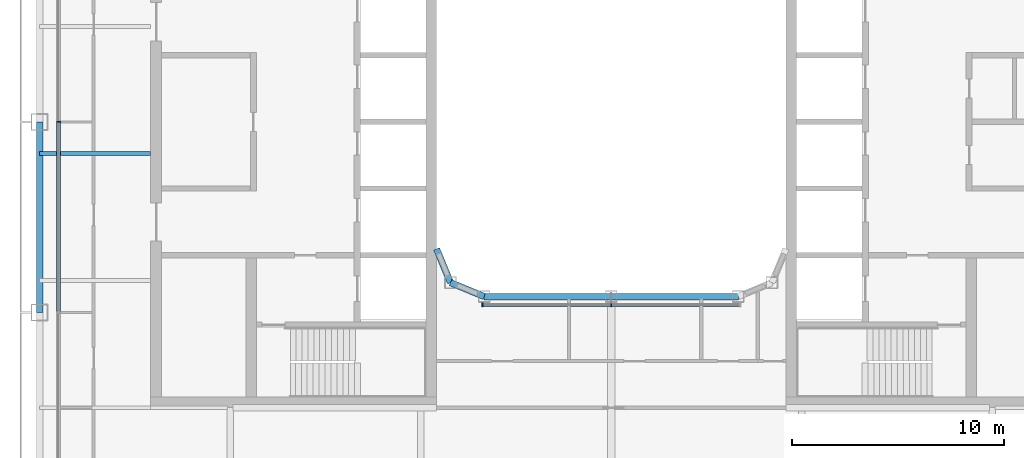
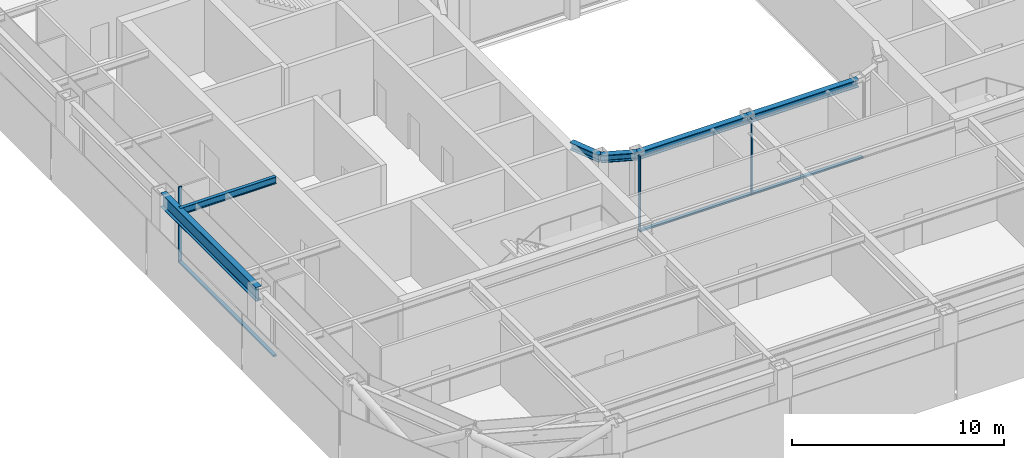
# One storey, part 3 of 19: 6 beams, 6 members, 2 elements without a shape of their own.
"""IFC4 building model written with IfcOpenShell, lengths in metres."""

from ifc_helpers import new_model, si_unit, direction, frame, origin, origin_2d, place, context, subcontext, project, spatial, rectangle, i_section, extrude, material, layer, layer_set, material_profile, profile_set, type_object, element, aggregate, save


model = new_model("IFC4")

# Units and contexts
model_context = context("Model", 3, precision=1e-05, world=origin(), true_north=direction((0.0, 1.0)))
body_context = subcontext(model_context, "Body", "Model", "MODEL_VIEW")
ifc_project = project(units=[si_unit("LENGTHUNIT", "METRE"), si_unit("AREAUNIT", "SQUARE_METRE"), si_unit("VOLUMEUNIT", "CUBIC_METRE"), si_unit("PLANEANGLEUNIT", "RADIAN"), si_unit("MASSUNIT", "GRAM", prefix="KILO")], contexts=[model_context])

# Site, building, storey
site_placement = place(None, origin())
site = spatial("IfcSite", under=ifc_project, at=site_placement, CompositionType="ELEMENT")
building_placement = place(site_placement, origin())
building = spatial("IfcBuilding", under=site, at=building_placement, Name="Siwar Civic Tower", CompositionType="ELEMENT")
storey_placement = place(building_placement, frame((0.0, 0.0, 264.699951171875)))
storey = spatial("IfcBuildingStorey", under=building, at=storey_placement, Name="L57", CompositionType="ELEMENT", Elevation=264.699951171875)

# Curtain wall, member
ifc_material_1 = material(Name="Aluminium and glass", Category="aluminium")
ifc_layer_1 = layer(ifc_material_1, 0.179931640625)
ifc_layer_set_1 = layer_set([ifc_layer_1], Name="Aluminium and glass")
curtain_wall_type_1 = type_object("IfcCurtainWallType", Name="ENV-CW-C", PredefinedType="NOTDEFINED", material=ifc_layer_set_1)
curtain_wall_1_placement = place(storey_placement, origin())
curtain_wall_1 = element("IfcCurtainWall", 1, at=curtain_wall_1_placement, inside=storey, type_object=curtain_wall_type_1, Name="Curtain wall C W", PredefinedType="NOTDEFINED")
ifc_material_2 = material(Name="Aluminium 6063-T6", Category="aluminium")
ifc_material_profile_1 = material_profile(ifc_material_2, rectangle(XDim=0.179931640625, YDim=0.06005859375, at=origin_2d()), Name="AL 180x60")
ifc_profile_set_1 = profile_set([ifc_material_profile_1], Name="Aluminium 6063-T6")
member_type_1 = type_object("IfcMemberType", Name="ENV-MULLION-C", PredefinedType="MULLION", material=ifc_profile_set_1)
member_1_placement = place(storey_placement, frame((-26.10009765625, 0.0, 0.0), z_axis=(0.0, 0.0, 1.0), x_axis=(1.0, 0.0, 0.0)))
member_1 = element("IfcMember", 2, at=member_1_placement, type_object=member_type_1, Name="Mullion C W 3", PredefinedType="MULLION", context=body_context, shape_type="SweptSolid", body=[
    extrude(rectangle(XDim=0.179931640625, YDim=0.06005859375, at=origin_2d()), origin(), (0.0, 0.0, 1.0), 4.35009765625),
])

# Curtain wall, members
ifc_material_3 = material(Name="Aluminium and glass", Category="aluminium")
ifc_layer_2 = layer(ifc_material_3, 0.179931640625)
ifc_layer_set_2 = layer_set([ifc_layer_2], Name="Aluminium and glass")
curtain_wall_type_2 = type_object("IfcCurtainWallType", Name="ENV-CW-W", PredefinedType="NOTDEFINED", material=ifc_layer_set_2)
curtain_wall_2_placement = place(storey_placement, origin())
curtain_wall_2 = element("IfcCurtainWall", 3, at=curtain_wall_2_placement, inside=storey, type_object=curtain_wall_type_2, Name="Curtain wall W WS", PredefinedType="NOTDEFINED")
ifc_material_4 = material(Name="Aluminium 6063-T6", Category="aluminium")
ifc_material_profile_2 = material_profile(ifc_material_4, rectangle(XDim=0.179931640625, YDim=0.06005859375, at=origin_2d()), Name="AL 180x60")
ifc_profile_set_2 = profile_set([ifc_material_profile_2], Name="Aluminium 6063-T6")
member_type_2 = type_object("IfcMemberType", Name="ENV-MULLION-W", PredefinedType="MULLION", material=ifc_profile_set_2)
member_2_placement = place(storey_placement, frame((-6.07666015625, -8.635009765625, 0.0), z_axis=(0.0, 0.0, 1.0), x_axis=(0.0, 1.0, 0.0)))
member_2 = element("IfcMember", 4, at=member_2_placement, type_object=member_type_2, Name="Mullion W WS 1", PredefinedType="MULLION", context=body_context, shape_type="SweptSolid", body=[
    extrude(rectangle(XDim=0.179931640625, YDim=0.06005859375, at=origin_2d()), origin(), (0.0, 0.0, 1.0), 4.35009765625),
])
member_3_placement = place(storey_placement, frame((0.0, -8.635009765625, 0.0), z_axis=(0.0, 0.0, 1.0), x_axis=(0.0, 1.0, 0.0)))
member_3 = element("IfcMember", 5, at=member_3_placement, type_object=member_type_2, Name="Mullion W WS 2", PredefinedType="MULLION", context=body_context, shape_type="SweptSolid", body=[
    extrude(rectangle(XDim=0.179931640625, YDim=0.06005859375, at=origin_2d()), origin(), (0.0, 0.0, 1.0), 4.35009765625),
])

# Member
ifc_material_5 = material(Name="Aluminium 6063-T6", Category="aluminium")
ifc_material_profile_3 = material_profile(ifc_material_5, rectangle(XDim=0.179931640625, YDim=0.10009765625, at=origin_2d()), Name="AL 180x100")
ifc_profile_set_3 = profile_set([ifc_material_profile_3], Name="Aluminium 6063-T6")
member_type_3 = type_object("IfcMemberType", Name="ENV-TRANSOM-C", PredefinedType="USERDEFINED", material=ifc_profile_set_3)
member_4_placement = place(storey_placement, frame((-26.10009765625, -0.030029296875, 0.050048828125), z_axis=(0.0, -1.0, 0.0), x_axis=(1.0, 0.0, 0.0)))
member_4 = element("IfcMember", 6, at=member_4_placement, type_object=member_type_3, Name="Transom C W 3", ObjectType="TRANSOM", PredefinedType="USERDEFINED", context=body_context, shape_type="SweptSolid", body=[
    extrude(rectangle(XDim=0.179931640625, YDim=0.10009765625, at=origin_2d()), origin(), (0.0, 0.0, 1.0), 8.93994140625),
])

aggregate(curtain_wall_1, [member_1, member_4])

ifc_material_6 = material(Name="Aluminium 6063-T6", Category="aluminium")
ifc_material_profile_4 = material_profile(ifc_material_6, rectangle(XDim=0.179931640625, YDim=0.10009765625, at=origin_2d()), Name="AL 180x100")
ifc_profile_set_4 = profile_set([ifc_material_profile_4], Name="Aluminium 6063-T6")
member_type_4 = type_object("IfcMemberType", Name="ENV-TRANSOM-W", PredefinedType="USERDEFINED", material=ifc_profile_set_4)
member_5_placement = place(storey_placement, frame((-6.046630859375, -8.635009765625, 0.050048828125), z_axis=(1.0, 0.0, 0.0), x_axis=(0.0, 1.0, 0.0)))
member_5 = element("IfcMember", 7, at=member_5_placement, type_object=member_type_4, Name="Transom W WS 1", ObjectType="TRANSOM", PredefinedType="USERDEFINED", context=body_context, shape_type="SweptSolid", body=[
    extrude(rectangle(XDim=0.179931640625, YDim=0.10009765625, at=origin_2d()), origin(), (0.0, 0.0, 1.0), 6.0166015625),
])

member_6_placement = place(storey_placement, frame((0.030029296875, -8.635009765625, 0.050048828125), z_axis=(1.0, 0.0, 0.0), x_axis=(0.0, 1.0, 0.0)))
member_6 = element("IfcMember", 8, at=member_6_placement, type_object=member_type_4, Name="Transom W WS 2", ObjectType="TRANSOM", PredefinedType="USERDEFINED", context=body_context, shape_type="SweptSolid", body=[
    extrude(rectangle(XDim=0.179931640625, YDim=0.10009765625, at=origin_2d()), origin(), (0.0, 0.0, 1.0), 6.0166015625),
])

aggregate(curtain_wall_2, [member_2, member_3, member_5, member_6])

# Beams
ifc_material_7 = material(Name="Steel S355", Category="steel")
ifc_material_profile_5 = material_profile(ifc_material_7, i_section(OverallWidth=0.179931640625, OverallDepth=0.39990234375, WebThickness=0.008544921875, FlangeThickness=0.013427734375, FilletRadius=0.02099609375, at=origin_2d()), Name="IPE400")
ifc_profile_set_5 = profile_set([ifc_material_profile_5], Name="Steel S355")
beam_type_1 = type_object("IfcBeamType", Name="STR-FB-IPE400", PredefinedType="JOIST", material=ifc_profile_set_5)
beam_1_placement = place(storey_placement, frame((-27.0, -1.5, 4.150146484375), z_axis=(1.0, 0.0, 0.0), x_axis=(0.0, 1.0, 0.0)))
element("IfcBeam", 9, at=beam_1_placement, inside=storey, type_object=beam_type_1, Name="L57/bm/F023", PredefinedType="JOIST", context=body_context, shape_type="SweptSolid", body=[
    extrude(i_section(OverallWidth=0.179931640625, OverallDepth=0.39990234375, WebThickness=0.008544921875, FlangeThickness=0.013427734375, FilletRadius=0.02099609375, at=origin_2d()), origin(), (0.0, 0.0, 1.0), 5.25),
])
ifc_material_8 = material(Name="Steel S355", Category="steel")
ifc_material_profile_6 = material_profile(ifc_material_8, i_section(OverallWidth=0.306884765625, OverallDepth=0.431884765625, WebThickness=0.02099609375, FlangeThickness=0.0400390625, FilletRadius=0.027099609375, at=origin_2d()), Name="HEM400")
ifc_profile_set_6 = profile_set([ifc_material_profile_6], Name="Steel S355")
beam_type_2 = type_object("IfcBeamType", Name="STR-RB-HEM400", PredefinedType="BEAM", material=ifc_profile_set_6)
beam_2_placement = place(storey_placement, frame((-7.591064453125, -7.591064453125, 4.134033203125), z_axis=(0.923901072997, -0.382631424892, 0.0), x_axis=(0.382631424892, 0.923901072997, 0.0)))
element("IfcBeam", 10, at=beam_2_placement, inside=storey, type_object=beam_type_2, Name="L57/bm/RS0", PredefinedType="BEAM", context=body_context, shape_type="SweptSolid", body=[
    extrude(i_section(OverallWidth=0.306884765625, OverallDepth=0.431884765625, WebThickness=0.02099609375, FlangeThickness=0.0400390625, FilletRadius=0.027099609375, at=origin_2d()), origin(), (0.0, 0.0, 1.0), 1.72216796875),
])
for number, where, z_axis, x_axis, name in (
    (11, (-6.0, -8.25, 4.134033203125), (1.0, 0.0, 0.0), (0.0, 1.0, 0.0), "L57/bm/RS1"),
    (12, (0.0, -8.25, 4.134033203125), (1.0, 0.0, 0.0), (0.0, 1.0, 0.0), "L57/bm/RS2"),
):
    element("IfcBeam", number, at=place(storey_placement, frame(where, z_axis=z_axis, x_axis=x_axis)), inside=storey, type_object=beam_type_2, Name=name, PredefinedType="BEAM", context=body_context, shape_type="SweptSolid", body=[
        extrude(i_section(OverallWidth=0.306884765625, OverallDepth=0.431884765625, WebThickness=0.02099609375, FlangeThickness=0.0400390625, FilletRadius=0.027099609375, at=origin_2d()), origin(), (0.0, 0.0, 1.0), 6.0),
    ])
beam_3_placement = place(storey_placement, frame((-7.591064453125, -7.591064453125, 4.134033203125), z_axis=(-0.382631424892, 0.923901072997, 0.0), x_axis=(-0.923901072997, -0.382631424892, 0.0)))
element("IfcBeam", 13, at=beam_3_placement, inside=storey, type_object=beam_type_2, Name="L57/bm/RSEW", PredefinedType="BEAM", context=body_context, shape_type="SweptSolid", body=[
    extrude(i_section(OverallWidth=0.306884765625, OverallDepth=0.431884765625, WebThickness=0.02099609375, FlangeThickness=0.0400390625, FilletRadius=0.027099609375, at=origin_2d()), origin(), (0.0, 0.0, 1.0), 1.72216796875),
])
ifc_material_9 = material(Name="Steel S355", Category="steel")
ifc_material_profile_7 = material_profile(ifc_material_9, i_section(OverallWidth=0.300048828125, OverallDepth=0.800048828125, WebThickness=0.017578125, FlangeThickness=0.032958984375, FilletRadius=0.030029296875, at=origin_2d()), Name="HEB800")
ifc_profile_set_7 = profile_set([ifc_material_profile_7], Name="Steel S355")
beam_type_3 = type_object("IfcBeamType", Name="STR-SB-HEB800", PredefinedType="BEAM", material=ifc_profile_set_7)
beam_4_placement = place(storey_placement, frame((-27.0, 0.0, 3.949951171875), z_axis=(0.0, -1.0, 0.0), x_axis=(1.0, 0.0, 0.0)))
element("IfcBeam", 14, at=beam_4_placement, inside=storey, type_object=beam_type_3, Name="L57/bm/SW-2", PredefinedType="BEAM", context=body_context, shape_type="SweptSolid", body=[
    extrude(i_section(OverallWidth=0.300048828125, OverallDepth=0.800048828125, WebThickness=0.017578125, FlangeThickness=0.032958984375, FilletRadius=0.030029296875, at=origin_2d()), origin(), (0.0, 0.0, 1.0), 9.0),
])

save(model, "model.ifc")
